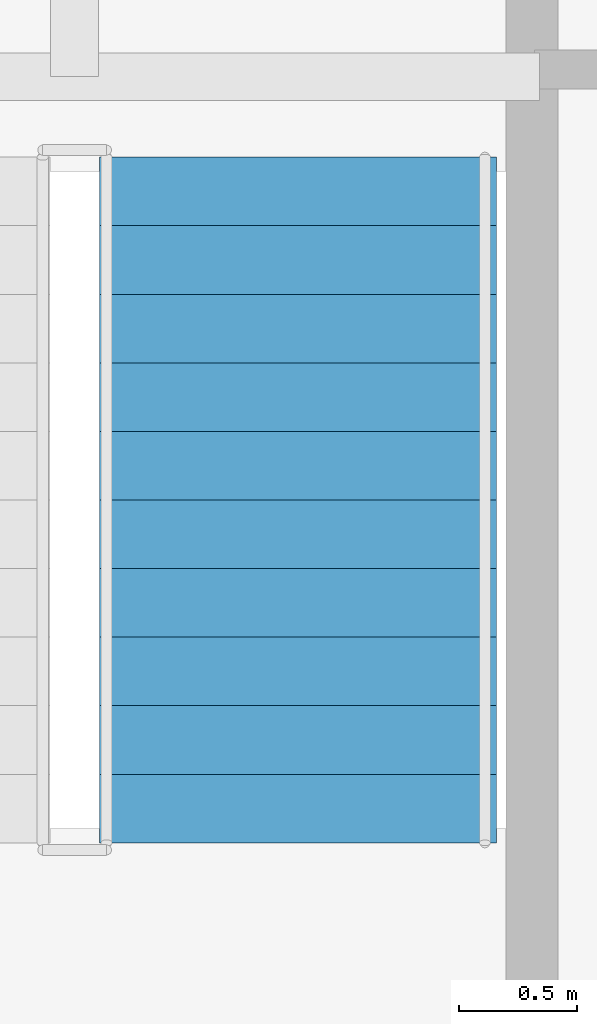
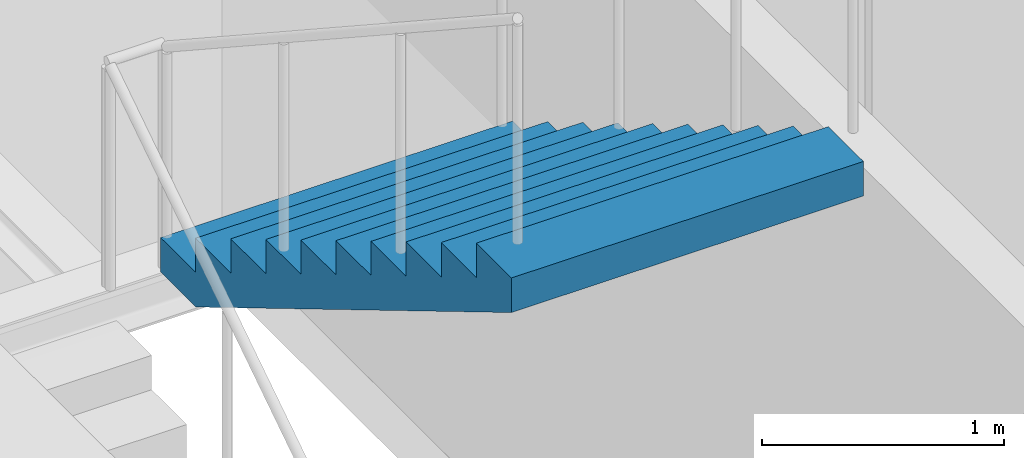
# One storey, part 7 of 11: 1 stair flight, 1 element without a shape of its own.
"""IFC4 building model written with IfcOpenShell, lengths in metres."""

import ifcopenshell
import ifcopenshell.guid

model = None  # the IFC model being written
_history = None  # IfcOwnerHistory: only IFC2X3 demands one
_inside = {}  # id of a spatial element -> (the spatial element, [elements in it])
_under = {}  # id of a project, library or spatial element -> (it, [spatial elements below it])
_declared = {}  # id of a project -> (the project, [libraries it declares])
_typed = {}  # id of a type object -> (the type object, [elements of that type])
_made_of = {}  # id of a material, layer set ... -> (it, [elements and type objects made of it])


def new_model(schema):
    """Start an empty IFC model of exactly this schema.

    Asked for "IFC4X3", IfcOpenShell would pick the latest addendum, in which some entities
    have other attributes; the version numbers below select the first issue.
    IFC2X3 requires an IfcOwnerHistory on every rooted entity: one is made here for all.
    """
    global model, _history
    if schema == "IFC4X3":
        model = ifcopenshell.file(schema_version=(4, 3, 0, 0))
    else:
        model = ifcopenshell.file(schema=schema)
    _inside.clear()
    _under.clear()
    _declared.clear()
    _typed.clear()
    _made_of.clear()
    _history = None
    if model.schema == "IFC2X3":
        org = make("IfcOrganization", Name="unknown")
        user = make(
            "IfcPersonAndOrganization",
            ThePerson=make("IfcPerson", FamilyName="unknown"),
            TheOrganization=org,
        )
        app = make(
            "IfcApplication",
            ApplicationDeveloper=org,
            Version="unknown",
            ApplicationFullName="unknown",
            ApplicationIdentifier="unknown",
        )
        _history = make(
            "IfcOwnerHistory",
            OwningUser=user,
            OwningApplication=app,
            ChangeAction="ADDED",
            CreationDate=0,
        )
    return model


def make(cls, **values):
    """One entity of the class cls with the attributes given. An attribute that is None is left unset."""
    return model.create_entity(
        cls, **{name: value for name, value in values.items() if value is not None}
    )


def rooted(cls, **values):
    """An entity with a GlobalId (a new one), such as an element, a storey or a relation."""
    return make(cls, GlobalId=ifcopenshell.guid.new(), OwnerHistory=_history, **values)


def si_unit(unit_type, name, prefix=None):
    """IfcSIUnit, for example si_unit("LENGTHUNIT", "METRE", prefix="MILLI")."""
    return make("IfcSIUnit", UnitType=unit_type, Prefix=prefix, Name=name)


def assignment(units):
    """IfcUnitAssignment: the units of a project."""
    return None if units is None else make("IfcUnitAssignment", Units=units)


def point(xyz):
    """IfcCartesianPoint."""
    return None if xyz is None else make("IfcCartesianPoint", Coordinates=xyz)


def direction(xyz):
    """IfcDirection."""
    return None if xyz is None else make("IfcDirection", DirectionRatios=xyz)


def frame(location, z_axis=None, x_axis=None):
    """IfcAxis2Placement3D, a coordinate frame: its origin and axes. An axis left out is left unset."""
    return make(
        "IfcAxis2Placement3D",
        Location=point(location),
        Axis=direction(z_axis),
        RefDirection=direction(x_axis),
    )


def origin():
    """The frame at (0, 0, 0) with its axes left unset."""
    return frame((0.0, 0.0, 0.0))


def place(relative_to, where):
    """IfcLocalPlacement: puts the frame where relative to a parent placement (None: the world)."""
    return make(
        "IfcLocalPlacement", PlacementRelTo=relative_to, RelativePlacement=where
    )


def context(
    kind, dimensions, precision=None, world=None, true_north=None, identifier=None
):
    """IfcGeometricRepresentationContext, for example the 3D "Model" context."""
    return make(
        "IfcGeometricRepresentationContext",
        ContextIdentifier=identifier,
        ContextType=kind,
        CoordinateSpaceDimension=dimensions,
        Precision=precision,
        WorldCoordinateSystem=world,
        TrueNorth=true_north,
    )


def subcontext(parent, identifier, kind, view, scale=None):
    """IfcGeometricRepresentationSubContext, for example "Body" below "Model"."""
    return make(
        "IfcGeometricRepresentationSubContext",
        ContextIdentifier=identifier,
        ContextType=kind,
        ParentContext=parent,
        TargetScale=scale,
        TargetView=view,
    )


def project(units=None, contexts=None):
    """IfcProject with its units and contexts."""
    return rooted(
        "IfcProject",
        Name="project",
        RepresentationContexts=contexts,
        UnitsInContext=assignment(units),
    )


def spatial(cls, under=None, at=None, **own):
    """A site, building, storey or space (cls), placed at a placement, below another one or the project."""
    s = rooted(cls, ObjectPlacement=at, **own)
    if under is not None:
        _under.setdefault(under.id(), (under, []))[1].append(s)
    return s


def polyline(points):
    """IfcPolyline through the points."""
    return make("IfcPolyline", Points=[point(p) for p in points])


def outline(outer, holes=None, kind="AREA"):
    """IfcArbitraryClosedProfileDef: a profile drawn as a closed curve; with holes, ...WithVoids."""
    if holes is None:
        return make("IfcArbitraryClosedProfileDef", ProfileType=kind, OuterCurve=outer)
    return make(
        "IfcArbitraryProfileDefWithVoids",
        ProfileType=kind,
        OuterCurve=outer,
        InnerCurves=holes,
    )


def extrude(swept, where, along, depth):
    """IfcExtrudedAreaSolid: the profile swept, set in the frame where, extruded along a direction by depth."""
    return make(
        "IfcExtrudedAreaSolid",
        SweptArea=swept,
        Position=where,
        ExtrudedDirection=direction(along),
        Depth=depth,
    )


def shape(context_of_items, identifier, shape_type, items):
    """IfcShapeRepresentation: the items that make up one representation, for example the "Body"."""
    return make(
        "IfcShapeRepresentation",
        ContextOfItems=context_of_items,
        RepresentationIdentifier=identifier,
        RepresentationType=shape_type,
        Items=items,
    )


def material(Name=None, Category=None):
    """IfcMaterial."""
    return make("IfcMaterial", Name=Name, Category=Category)


def made_of(thing, what):
    """Note that an element or type object is made of a material, layer set ...; save() writes the relation."""
    if what is not None:
        _made_of.setdefault(what.id(), (what, []))[1].append(thing)
    return thing


def type_object(cls, material=None, **own):
    """A type object (cls), such as IfcWallType, which elements share."""
    return made_of(rooted(cls, **own), material)


def element(
    cls,
    number,
    at=None,
    inside=None,
    cuts=None,
    type_object=None,
    material=None,
    context=None,
    identifier="Body",
    shape_type=None,
    held_by="IfcProductDefinitionShape",
    body=None,
    shapes=None,
    **own,
):
    """One element of the class cls, such as IfcWall. Its Tag is "e" and its number.

    at: its placement. inside: the storey or other place that contains it. cuts: it is an
    opening in that element (IfcRelVoidsElement). A single representation is given by context,
    identifier, shape_type and body (its items); several are given by shapes. held_by: the class
    of the entity that holds the representations. save() writes the other relations.
    """
    e = rooted(cls, Tag="e%d" % number, ObjectPlacement=at, **own)
    if body is not None:
        shapes = [shape(context, identifier, shape_type, body)]
    if shapes is not None:
        e.Representation = make(held_by, Representations=shapes)
    if inside is not None:
        _inside.setdefault(inside.id(), (inside, []))[1].append(e)
    if cuts is not None:
        rooted(
            "IfcRelVoidsElement", RelatingBuildingElement=cuts, RelatedOpeningElement=e
        )
    if type_object is not None:
        _typed.setdefault(type_object.id(), (type_object, []))[1].append(e)
    return made_of(e, material)


def aggregate(whole, parts):
    """IfcRelAggregates: a whole, such as a stair, and the parts it consists of."""
    return rooted("IfcRelAggregates", RelatingObject=whole, RelatedObjects=parts)


def save(model, path):
    """Write the relations noted so far, then the file.

    IfcRelAggregates (storeys below a building ...), IfcRelContainedInSpatialStructure (elements
    in a storey), IfcRelDefinesByType, IfcRelAssociatesMaterial and IfcRelDeclares: one each for
    every whole, place, type object, material and project.
    """
    for whole, parts in _under.values():
        aggregate(whole, parts)
    for where, things in _inside.values():
        rooted(
            "IfcRelContainedInSpatialStructure",
            RelatedElements=things,
            RelatingStructure=where,
        )
    for kind, things in _typed.values():
        rooted("IfcRelDefinesByType", RelatedObjects=things, RelatingType=kind)
    for what, things in _made_of.values():
        rooted("IfcRelAssociatesMaterial", RelatedObjects=things, RelatingMaterial=what)
    for by, libraries in _declared.values():
        rooted("IfcRelDeclares", RelatingContext=by, RelatedDefinitions=libraries)
    model.write(path)


model = new_model("IFC4")

# Units and contexts
model_context = context("Model", 3, precision=1e-05, world=origin(), true_north=direction((0.0, 1.0)))
body_context = subcontext(model_context, "Body", "Model", "MODEL_VIEW")
ifc_project = project(units=[si_unit("LENGTHUNIT", "METRE"), si_unit("AREAUNIT", "SQUARE_METRE"), si_unit("VOLUMEUNIT", "CUBIC_METRE"), si_unit("PLANEANGLEUNIT", "RADIAN"), si_unit("MASSUNIT", "GRAM", prefix="KILO")], contexts=[model_context])

# Site, building, storey
site_placement = place(None, origin())
site = spatial("IfcSite", under=ifc_project, at=site_placement, CompositionType="ELEMENT")
building_placement = place(site_placement, origin())
building = spatial("IfcBuilding", under=site, at=building_placement, Name="Norrvale University Quadrangle", CompositionType="ELEMENT")
storey_placement = place(building_placement, frame((0.0, 0.0, 284.800048828125)))
storey = spatial("IfcBuildingStorey", under=building, at=storey_placement, Name="L72", CompositionType="ELEMENT", Elevation=284.800048828125)

# Stair, stair flight
ifc_material = material(Name="Concrete C40/50", Category="concrete")
stair_type = type_object("IfcStairType", Name="Stair Tower Typ 3800", PredefinedType="TWO_STRAIGHT_RUN_STAIR", material=ifc_material)
stair_placement = place(storey_placement, origin())
stair = element("IfcStair", 1, at=stair_placement, inside=storey, type_object=stair_type, Name="Exit Stair ST-02 L72", PredefinedType="TWO_STRAIGHT_RUN_STAIR")
stair_flight_type = type_object("IfcStairFlightType", Name="Flight Typ 1500", PredefinedType="STRAIGHT", material=ifc_material)
stair_flight_placement = place(storey_placement, frame((5.320068359375, 44.949951171875, 1.89990234375), z_axis=(0.0, 0.0, 1.0), x_axis=(0.0, -1.0, 0.0)))
stair_flight = element("IfcStairFlight", 2, at=stair_flight_placement, type_object=stair_flight_type, Name="Exit Stair ST-02 L72 Upper Flight", NumberOfRisers=11, NumberOfTreads=10, PredefinedType="STRAIGHT", RiserHeight=0.172727, TreadLength=0.29, context=body_context, shape_type="SweptSolid", body=[
    extrude(outline(polyline([(0.0, 0.0), (0.0, 0.172607421875), (0.2900390625, 0.172607421875), (0.2900390625, 0.345458984375), (0.580078125, 0.345458984375), (0.580078125, 0.51806640625), (0.8701171875, 0.51806640625), (0.8701171875, 0.69091796875), (1.159912109375, 0.69091796875), (1.159912109375, 0.863525390625), (1.449951171875, 0.863525390625), (1.449951171875, 1.036376953125), (1.739990234375, 1.036376953125), (1.739990234375, 1.208984375), (2.030029296875, 1.208984375), (2.030029296875, 1.3818359375), (2.320068359375, 1.3818359375), (2.320068359375, 1.554443359375), (2.610107421875, 1.554443359375), (2.610107421875, 1.727294921875), (2.89990234375, 1.727294921875), (2.89990234375, 1.89990234375), (2.89990234375, 1.552734375), (0.29296875, 0.0), (0.0, 0.0)])), frame((0.0, 0.83984375, 0.0), z_axis=(0.0, -1.0, 0.0), x_axis=(1.0, 0.0, 0.0)), (0.0, 0.0, 1.0), 1.679931640625),
])
aggregate(stair, [stair_flight])

save(model, "model.ifc")
